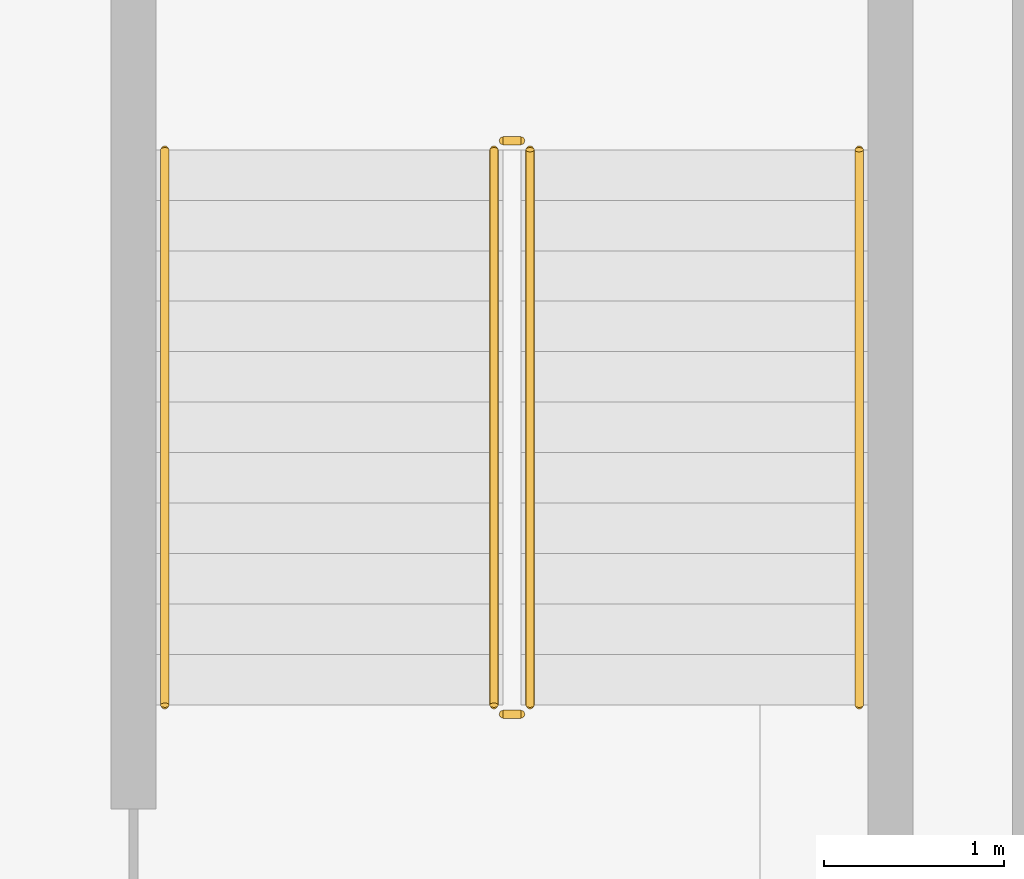
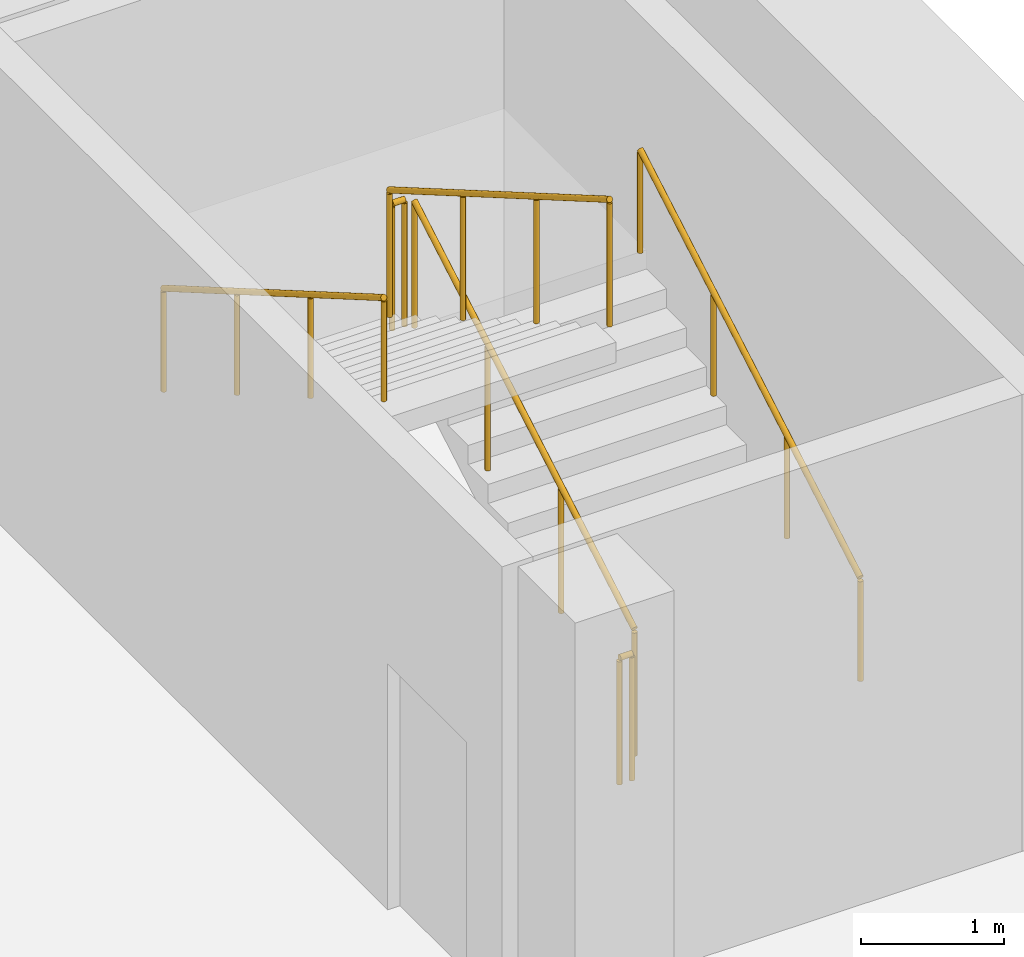
# One storey, part 25 of 27: 6 railings.
"""IFC4 building model written with IfcOpenShell, lengths in metres."""

import ifcopenshell
import ifcopenshell.guid

model = None  # the IFC model being written
_history = None  # IfcOwnerHistory: only IFC2X3 demands one
_inside = {}  # id of a spatial element -> (the spatial element, [elements in it])
_under = {}  # id of a project, library or spatial element -> (it, [spatial elements below it])
_declared = {}  # id of a project -> (the project, [libraries it declares])
_typed = {}  # id of a type object -> (the type object, [elements of that type])
_made_of = {}  # id of a material, layer set ... -> (it, [elements and type objects made of it])


def new_model(schema):
    """Start an empty IFC model of exactly this schema.

    Asked for "IFC4X3", IfcOpenShell would pick the latest addendum, in which some entities
    have other attributes; the version numbers below select the first issue.
    IFC2X3 requires an IfcOwnerHistory on every rooted entity: one is made here for all.
    """
    global model, _history
    if schema == "IFC4X3":
        model = ifcopenshell.file(schema_version=(4, 3, 0, 0))
    else:
        model = ifcopenshell.file(schema=schema)
    _inside.clear()
    _under.clear()
    _declared.clear()
    _typed.clear()
    _made_of.clear()
    _history = None
    if model.schema == "IFC2X3":
        org = make("IfcOrganization", Name="unknown")
        user = make(
            "IfcPersonAndOrganization",
            ThePerson=make("IfcPerson", FamilyName="unknown"),
            TheOrganization=org,
        )
        app = make(
            "IfcApplication",
            ApplicationDeveloper=org,
            Version="unknown",
            ApplicationFullName="unknown",
            ApplicationIdentifier="unknown",
        )
        _history = make(
            "IfcOwnerHistory",
            OwningUser=user,
            OwningApplication=app,
            ChangeAction="ADDED",
            CreationDate=0,
        )
    return model


def make(cls, **values):
    """One entity of the class cls with the attributes given. An attribute that is None is left unset."""
    return model.create_entity(
        cls, **{name: value for name, value in values.items() if value is not None}
    )


def rooted(cls, **values):
    """An entity with a GlobalId (a new one), such as an element, a storey or a relation."""
    return make(cls, GlobalId=ifcopenshell.guid.new(), OwnerHistory=_history, **values)


def si_unit(unit_type, name, prefix=None):
    """IfcSIUnit, for example si_unit("LENGTHUNIT", "METRE", prefix="MILLI")."""
    return make("IfcSIUnit", UnitType=unit_type, Prefix=prefix, Name=name)


def assignment(units):
    """IfcUnitAssignment: the units of a project."""
    return None if units is None else make("IfcUnitAssignment", Units=units)


def point(xyz):
    """IfcCartesianPoint."""
    return None if xyz is None else make("IfcCartesianPoint", Coordinates=xyz)


def direction(xyz):
    """IfcDirection."""
    return None if xyz is None else make("IfcDirection", DirectionRatios=xyz)


def frame(location, z_axis=None, x_axis=None):
    """IfcAxis2Placement3D, a coordinate frame: its origin and axes. An axis left out is left unset."""
    return make(
        "IfcAxis2Placement3D",
        Location=point(location),
        Axis=direction(z_axis),
        RefDirection=direction(x_axis),
    )


def frame_2d(location, x_axis=None):
    """IfcAxis2Placement2D, a coordinate frame in the plane: its origin and x axis."""
    return make(
        "IfcAxis2Placement2D", Location=point(location), RefDirection=direction(x_axis)
    )


def origin():
    """The frame at (0, 0, 0) with its axes left unset."""
    return frame((0.0, 0.0, 0.0))


def origin_2d():
    """The frame at (0, 0) in the plane with its x axis left unset."""
    return frame_2d((0.0, 0.0))


def place(relative_to, where):
    """IfcLocalPlacement: puts the frame where relative to a parent placement (None: the world)."""
    return make(
        "IfcLocalPlacement", PlacementRelTo=relative_to, RelativePlacement=where
    )


def context(
    kind, dimensions, precision=None, world=None, true_north=None, identifier=None
):
    """IfcGeometricRepresentationContext, for example the 3D "Model" context."""
    return make(
        "IfcGeometricRepresentationContext",
        ContextIdentifier=identifier,
        ContextType=kind,
        CoordinateSpaceDimension=dimensions,
        Precision=precision,
        WorldCoordinateSystem=world,
        TrueNorth=true_north,
    )


def subcontext(parent, identifier, kind, view, scale=None):
    """IfcGeometricRepresentationSubContext, for example "Body" below "Model"."""
    return make(
        "IfcGeometricRepresentationSubContext",
        ContextIdentifier=identifier,
        ContextType=kind,
        ParentContext=parent,
        TargetScale=scale,
        TargetView=view,
    )


def project(units=None, contexts=None):
    """IfcProject with its units and contexts."""
    return rooted(
        "IfcProject",
        Name="project",
        RepresentationContexts=contexts,
        UnitsInContext=assignment(units),
    )


def spatial(cls, under=None, at=None, **own):
    """A site, building, storey or space (cls), placed at a placement, below another one or the project."""
    s = rooted(cls, ObjectPlacement=at, **own)
    if under is not None:
        _under.setdefault(under.id(), (under, []))[1].append(s)
    return s


def profile(cls, at=None, kind="AREA", **sizes):
    """A parametric profile (cls). Its sizes go by their IFC names, for example OverallWidth=200.0."""
    return make(cls, ProfileType=kind, Position=at, **sizes)


def circle(**sizes):
    """IfcCircleProfileDef."""
    return profile("IfcCircleProfileDef", **sizes)


def extrude(swept, where, along, depth):
    """IfcExtrudedAreaSolid: the profile swept, set in the frame where, extruded along a direction by depth."""
    return make(
        "IfcExtrudedAreaSolid",
        SweptArea=swept,
        Position=where,
        ExtrudedDirection=direction(along),
        Depth=depth,
    )


def shape(context_of_items, identifier, shape_type, items):
    """IfcShapeRepresentation: the items that make up one representation, for example the "Body"."""
    return make(
        "IfcShapeRepresentation",
        ContextOfItems=context_of_items,
        RepresentationIdentifier=identifier,
        RepresentationType=shape_type,
        Items=items,
    )


def material(Name=None, Category=None):
    """IfcMaterial."""
    return make("IfcMaterial", Name=Name, Category=Category)


def made_of(thing, what):
    """Note that an element or type object is made of a material, layer set ...; save() writes the relation."""
    if what is not None:
        _made_of.setdefault(what.id(), (what, []))[1].append(thing)
    return thing


def type_object(cls, material=None, **own):
    """A type object (cls), such as IfcWallType, which elements share."""
    return made_of(rooted(cls, **own), material)


def element(
    cls,
    number,
    at=None,
    inside=None,
    cuts=None,
    type_object=None,
    material=None,
    context=None,
    identifier="Body",
    shape_type=None,
    held_by="IfcProductDefinitionShape",
    body=None,
    shapes=None,
    **own,
):
    """One element of the class cls, such as IfcWall. Its Tag is "e" and its number.

    at: its placement. inside: the storey or other place that contains it. cuts: it is an
    opening in that element (IfcRelVoidsElement). A single representation is given by context,
    identifier, shape_type and body (its items); several are given by shapes. held_by: the class
    of the entity that holds the representations. save() writes the other relations.
    """
    e = rooted(cls, Tag="e%d" % number, ObjectPlacement=at, **own)
    if body is not None:
        shapes = [shape(context, identifier, shape_type, body)]
    if shapes is not None:
        e.Representation = make(held_by, Representations=shapes)
    if inside is not None:
        _inside.setdefault(inside.id(), (inside, []))[1].append(e)
    if cuts is not None:
        rooted(
            "IfcRelVoidsElement", RelatingBuildingElement=cuts, RelatedOpeningElement=e
        )
    if type_object is not None:
        _typed.setdefault(type_object.id(), (type_object, []))[1].append(e)
    return made_of(e, material)


def aggregate(whole, parts):
    """IfcRelAggregates: a whole, such as a stair, and the parts it consists of."""
    return rooted("IfcRelAggregates", RelatingObject=whole, RelatedObjects=parts)


def save(model, path):
    """Write the relations noted so far, then the file.

    IfcRelAggregates (storeys below a building ...), IfcRelContainedInSpatialStructure (elements
    in a storey), IfcRelDefinesByType, IfcRelAssociatesMaterial and IfcRelDeclares: one each for
    every whole, place, type object, material and project.
    """
    for whole, parts in _under.values():
        aggregate(whole, parts)
    for where, things in _inside.values():
        rooted(
            "IfcRelContainedInSpatialStructure",
            RelatedElements=things,
            RelatingStructure=where,
        )
    for kind, things in _typed.values():
        rooted("IfcRelDefinesByType", RelatedObjects=things, RelatingType=kind)
    for what, things in _made_of.values():
        rooted("IfcRelAssociatesMaterial", RelatedObjects=things, RelatingMaterial=what)
    for by, libraries in _declared.values():
        rooted("IfcRelDeclares", RelatingContext=by, RelatedDefinitions=libraries)
    model.write(path)


model = new_model("IFC4")

# Units and contexts
model_context = context("Model", 3, precision=1e-05, world=origin(), true_north=direction((0.0, 1.0)))
body_context = subcontext(model_context, "Body", "Model", "MODEL_VIEW")
ifc_project = project(units=[si_unit("LENGTHUNIT", "METRE"), si_unit("AREAUNIT", "SQUARE_METRE"), si_unit("VOLUMEUNIT", "CUBIC_METRE"), si_unit("PLANEANGLEUNIT", "RADIAN"), si_unit("MASSUNIT", "GRAM", prefix="KILO")], contexts=[model_context])

# Site, building, storey
site_placement = place(None, origin())
site = spatial("IfcSite", under=ifc_project, at=site_placement, CompositionType="ELEMENT")
building_placement = place(site_placement, origin())
building = spatial("IfcBuilding", under=site, at=building_placement, Name="Verdalira Terraces Hotel", CompositionType="ELEMENT")
storey_placement = place(building_placement, frame((0.0, 0.0, -11.699951)))
storey = spatial("IfcBuildingStorey", under=building, at=storey_placement, Name="B3", CompositionType="ELEMENT", Elevation=-11.699951171875)

# Railings
ifc_material_1 = material(Name="Stainless steel", Category="steel")
railing_type_1 = type_object("IfcRailingType", Name="Stair guard 1100", PredefinedType="GUARDRAIL", material=ifc_material_1)
railing_1_placement = place(storey_placement, frame((50.324951, 27.824951, 0.162354)))
element("IfcRailing", 1, at=railing_1_placement, inside=storey, type_object=railing_type_1, Name="B3 Basement stair 5 stair guard 1", PredefinedType="GUARDRAIL", context=body_context, shape_type="SweptSolid", body=[
    extrude(circle(Radius=0.023926, at=origin_2d()), frame((0.0, 0.0, 1.076172), z_axis=(0.0, 0.864890721, 0.501960198), x_axis=(-1.0, 0.0, 0.0)), (0.0, 0.0, 1.0), 3.561279),
    extrude(circle(Radius=0.020996, at=origin_2d()), origin(), (0.0, 0.0, 1.0), 1.052002),
    extrude(circle(Radius=0.020996, at=origin_2d()), frame((0.0, 1.026611, 0.595947)), (0.0, 0.0, 1.0), 1.052002),
    extrude(circle(Radius=0.020996, at=origin_2d()), frame((0.0, 2.053467, 1.19165)), (0.0, 0.0, 1.0), 1.052002),
    extrude(circle(Radius=0.020996, at=origin_2d()), frame((0.0, 3.080078, 1.787598)), (0.0, 0.0, 1.0), 1.052002),
])
railing_2_placement = place(storey_placement, frame((50.274902, 30.955078, 1.949951)))
element("IfcRailing", 2, at=railing_2_placement, inside=storey, type_object=railing_type_1, Name="B3 Basement stair 5 stair guard 2", PredefinedType="GUARDRAIL", context=body_context, shape_type="SweptSolid", body=[
    extrude(circle(Radius=0.023926, at=origin_2d()), frame((0.0, 0.0, 1.076172), z_axis=(-1.0, 0.0, 0.0), x_axis=(0.0, -1.0, 0.0)), (0.0, 0.0, 1.0), 0.099854),
    extrude(circle(Radius=0.020996, at=origin_2d()), origin(), (0.0, 0.0, 1.0), 1.052002),
    extrude(circle(Radius=0.020996, at=origin_2d()), frame((-0.099854, 0.0, 0.0)), (0.0, 0.0, 1.0), 1.052002),
])
railing_3_placement = place(storey_placement, frame((50.125, 30.905029, 2.112549)))
element("IfcRailing", 3, at=railing_3_placement, inside=storey, type_object=railing_type_1, Name="B3 Basement stair 5 stair guard 3", PredefinedType="GUARDRAIL", context=body_context, shape_type="SweptSolid", body=[
    extrude(circle(Radius=0.023926, at=origin_2d()), frame((0.0, 0.0, 1.076172), z_axis=(0.0, -0.864920483, 0.501908914), x_axis=(1.0, 0.0, 0.0)), (0.0, 0.0, 1.0), 3.561035),
    extrude(circle(Radius=0.020996, at=origin_2d()), origin(), (0.0, 0.0, 1.0), 1.052002),
    extrude(circle(Radius=0.020996, at=origin_2d()), frame((0.0, -1.026611, 0.595703)), (0.0, 0.0, 1.0), 1.052002),
    extrude(circle(Radius=0.020996, at=origin_2d()), frame((0.0, -2.053467, 1.19165)), (0.0, 0.0, 1.0), 1.052002),
    extrude(circle(Radius=0.020996, at=origin_2d()), frame((0.0, -3.080078, 1.787354)), (0.0, 0.0, 1.0), 1.052002),
])
railing_4_placement = place(storey_placement, frame((50.274902, 27.774902, 0.0)))
element("IfcRailing", 4, at=railing_4_placement, inside=storey, type_object=railing_type_1, Name="B3 Basement stair 5 stair guard 4", PredefinedType="GUARDRAIL", context=body_context, shape_type="SweptSolid", body=[
    extrude(circle(Radius=0.023926, at=origin_2d()), frame((0.0, 0.0, 1.076172), z_axis=(-1.0, 0.0, 0.0), x_axis=(0.0, -1.0, 0.0)), (0.0, 0.0, 1.0), 0.099854),
    extrude(circle(Radius=0.020996, at=origin_2d()), origin(), (0.0, 0.0, 1.0), 1.052002),
    extrude(circle(Radius=0.020996, at=origin_2d()), frame((-0.099854, 0.0, 0.0)), (0.0, 0.0, 1.0), 1.052002),
])
ifc_material_2 = material(Name="Stainless steel", Category="steel")
railing_type_2 = type_object("IfcRailingType", Name="Stair handrail 900", PredefinedType="HANDRAIL", material=ifc_material_2)
railing_5_placement = place(storey_placement, frame((52.149902, 27.824951, 0.162354)))
element("IfcRailing", 5, at=railing_5_placement, inside=storey, type_object=railing_type_2, Name="B3 Basement stair 5 stair handrail 1", PredefinedType="HANDRAIL", context=body_context, shape_type="SweptSolid", body=[
    extrude(circle(Radius=0.023926, at=origin_2d()), frame((0.0, 0.0, 0.875977), z_axis=(0.0, 0.864890721, 0.501960198), x_axis=(-1.0, 0.0, 0.0)), (0.0, 0.0, 1.0), 3.561279),
    extrude(circle(Radius=0.020996, at=origin_2d()), origin(), (0.0, 0.0, 1.0), 0.851807),
    extrude(circle(Radius=0.020996, at=origin_2d()), frame((0.0, 1.026611, 0.595947)), (0.0, 0.0, 1.0), 0.851807),
    extrude(circle(Radius=0.020996, at=origin_2d()), frame((0.0, 2.053467, 1.19165)), (0.0, 0.0, 1.0), 0.851807),
    extrude(circle(Radius=0.020996, at=origin_2d()), frame((0.0, 3.080078, 1.787598)), (0.0, 0.0, 1.0), 0.851807),
])
railing_6_placement = place(storey_placement, frame((48.300049, 30.905029, 2.112549)))
element("IfcRailing", 6, at=railing_6_placement, inside=storey, type_object=railing_type_2, Name="B3 Basement stair 5 stair handrail 2", PredefinedType="HANDRAIL", context=body_context, shape_type="SweptSolid", body=[
    extrude(circle(Radius=0.023926, at=origin_2d()), frame((0.0, 0.0, 0.875977), z_axis=(0.0, -0.864920483, 0.501908914), x_axis=(1.0, 0.0, 0.0)), (0.0, 0.0, 1.0), 3.561035),
    extrude(circle(Radius=0.020996, at=origin_2d()), origin(), (0.0, 0.0, 1.0), 0.851807),
    extrude(circle(Radius=0.020996, at=origin_2d()), frame((0.0, -1.026611, 0.595703)), (0.0, 0.0, 1.0), 0.851807),
    extrude(circle(Radius=0.020996, at=origin_2d()), frame((0.0, -2.053467, 1.19165)), (0.0, 0.0, 1.0), 0.851807),
    extrude(circle(Radius=0.020996, at=origin_2d()), frame((0.0, -3.080078, 1.787354)), (0.0, 0.0, 1.0), 0.851807),
])

save(model, "model.ifc")
